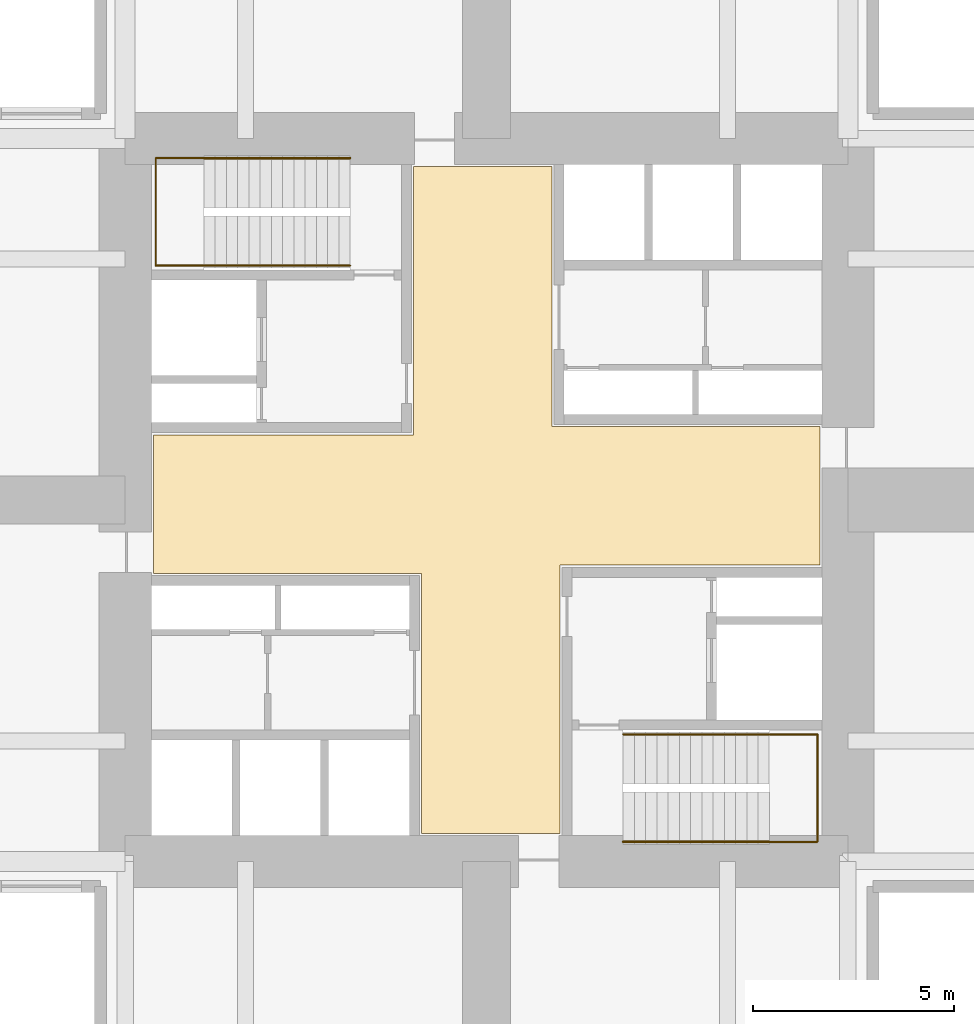
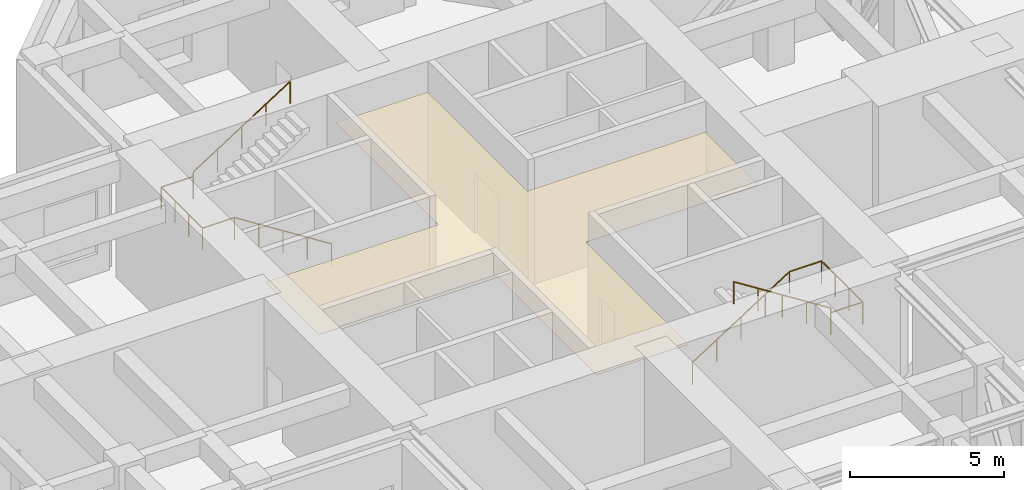
# One storey, part 8 of 8: 4 railings, 1 covering.
"""IFC4 building model written with IfcOpenShell, lengths in metres."""

from ifc_helpers import new_model, si_unit, direction, frame, origin, origin_2d, place, context, subcontext, project, spatial, polyline, circle, outline, extrude, material, layer, layer_set, type_object, element, save


model = new_model("IFC4")

# Units and contexts
model_context = context("Model", 3, precision=1e-05, world=origin(), true_north=direction((0.0, 1.0)))
body_context = subcontext(model_context, "Body", "Model", "MODEL_VIEW")
ifc_project = project(units=[si_unit("LENGTHUNIT", "METRE"), si_unit("AREAUNIT", "SQUARE_METRE"), si_unit("VOLUMEUNIT", "CUBIC_METRE"), si_unit("PLANEANGLEUNIT", "RADIAN"), si_unit("MASSUNIT", "GRAM", prefix="KILO")], contexts=[model_context])

# Site, building, storey
site_placement = place(None, origin())
site = spatial("IfcSite", under=ifc_project, at=site_placement, CompositionType="ELEMENT")
building_placement = place(site_placement, origin())
building = spatial("IfcBuilding", under=site, at=building_placement, Name="Torre Cruceta", CompositionType="ELEMENT")
storey_placement = place(building_placement, frame((0.0, 0.0, 164.5)))
storey = spatial("IfcBuildingStorey", under=building, at=storey_placement, Name="L40", CompositionType="ELEMENT", Elevation=164.5)

# Railings
ifc_material_1 = material(Name="Stainless steel 1.4401", Category="steel")
railing_type = type_object("IfcRailingType", Name="HANDRAIL 900", PredefinedType="HANDRAIL", material=ifc_material_1)
railing_1_placement = place(storey_placement, frame((-3.39990234375, 5.8349609375, 0.178466796875)))
element("IfcRailing", 1, at=railing_1_placement, inside=storey, type_object=railing_type, Name="Handrail HR1 ST1 L40", PredefinedType="HANDRAIL", context=body_context, shape_type="SweptSolid", body=[
    extrude(circle(Radius=0.02392578125, at=origin_2d()), frame((0.0, 0.0, 0.8759765625), z_axis=(-0.843127859045, 0.0, 0.537713132908), x_axis=(0.0, -1.0, 0.0)), (0.0, 0.0, 1.0), 4.3173828125),
    extrude(circle(Radius=0.02392578125, at=origin_2d()), frame((-3.64013671875, 0.0, 3.197265625), z_axis=(-1.0, 0.0, 0.0), x_axis=(0.0, -1.0, 0.0)), (0.0, 0.0, 1.0), 1.199951171875),
    extrude(circle(Radius=0.02392578125, at=origin_2d()), frame((-4.840087890625, 0.0, 3.197265625), z_axis=(0.0, 1.0, 0.0), x_axis=(-1.0, 0.0, 0.0)), (0.0, 0.0, 1.0), 2.679931640625),
    extrude(circle(Radius=0.02392578125, at=origin_2d()), frame((-4.840087890625, 2.679931640625, 3.197265625), z_axis=(1.0, 0.0, 0.0), x_axis=(0.0, 1.0, 0.0)), (0.0, 0.0, 1.0), 1.199951171875),
    extrude(circle(Radius=0.02099609375, at=origin_2d()), origin(), (0.0, 0.0, 1.0), 0.851806640625),
    extrude(circle(Radius=0.02099609375, at=origin_2d()), frame((-0.91015625, 0.0, 0.580322265625)), (0.0, 0.0, 1.0), 0.851806640625),
    extrude(circle(Radius=0.02099609375, at=origin_2d()), frame((-1.820068359375, 0.0, 1.16064453125)), (0.0, 0.0, 1.0), 0.851806640625),
    extrude(circle(Radius=0.02099609375, at=origin_2d()), frame((-2.72998046875, 0.0, 1.7412109375)), (0.0, 0.0, 1.0), 0.851806640625),
    extrude(circle(Radius=0.02099609375, at=origin_2d()), frame((-3.64013671875, 0.0, 2.321533203125)), (0.0, 0.0, 1.0), 0.851806640625),
    extrude(circle(Radius=0.02099609375, at=origin_2d()), frame((-4.840087890625, 0.0, 2.321533203125)), (0.0, 0.0, 1.0), 0.851806640625),
    extrude(circle(Radius=0.02099609375, at=origin_2d()), frame((-4.840087890625, 0.893310546875, 2.321533203125)), (0.0, 0.0, 1.0), 0.851806640625),
    extrude(circle(Radius=0.02099609375, at=origin_2d()), frame((-4.840087890625, 1.78662109375, 2.321533203125)), (0.0, 0.0, 1.0), 0.851806640625),
    extrude(circle(Radius=0.02099609375, at=origin_2d()), frame((-4.840087890625, 2.679931640625, 2.321533203125)), (0.0, 0.0, 1.0), 0.851806640625),
    extrude(circle(Radius=0.02099609375, at=origin_2d()), frame((-3.64013671875, 2.679931640625, 2.321533203125)), (0.0, 0.0, 1.0), 0.851806640625),
])
railing_2_placement = place(storey_placement, frame((-7.0400390625, 8.514892578125, 2.678466796875)))
element("IfcRailing", 2, at=railing_2_placement, inside=storey, type_object=railing_type, Name="Handrail HR1 ST1 L40", PredefinedType="HANDRAIL", context=body_context, shape_type="SweptSolid", body=[
    extrude(circle(Radius=0.02392578125, at=origin_2d()), frame((0.0, 0.0, 0.8759765625), z_axis=(0.843127859045, 0.0, 0.537713132908), x_axis=(0.0, 1.0, 0.0)), (0.0, 0.0, 1.0), 4.3173828125),
    extrude(circle(Radius=0.02099609375, at=origin_2d()), origin(), (0.0, 0.0, 1.0), 0.851806640625),
    extrude(circle(Radius=0.02099609375, at=origin_2d()), frame((0.91015625, 0.0, 0.580322265625)), (0.0, 0.0, 1.0), 0.851806640625),
    extrude(circle(Radius=0.02099609375, at=origin_2d()), frame((1.820068359375, 0.0, 1.16064453125)), (0.0, 0.0, 1.0), 0.851806640625),
    extrude(circle(Radius=0.02099609375, at=origin_2d()), frame((2.72998046875, 0.0, 1.7412109375)), (0.0, 0.0, 1.0), 0.851806640625),
    extrude(circle(Radius=0.02099609375, at=origin_2d()), frame((3.64013671875, 0.0, 2.321533203125)), (0.0, 0.0, 1.0), 0.851806640625),
])
railing_3_placement = place(storey_placement, frame((3.39990234375, -5.8349609375, 0.178466796875)))
element("IfcRailing", 3, at=railing_3_placement, inside=storey, type_object=railing_type, Name="Handrail HR1 ST2 L40", PredefinedType="HANDRAIL", context=body_context, shape_type="SweptSolid", body=[
    extrude(circle(Radius=0.02392578125, at=origin_2d()), frame((0.0, 0.0, 0.8759765625), z_axis=(0.843127859045, 0.0, 0.537713132908), x_axis=(0.0, 1.0, 0.0)), (0.0, 0.0, 1.0), 4.3173828125),
    extrude(circle(Radius=0.02392578125, at=origin_2d()), frame((3.64013671875, 0.0, 3.197265625), z_axis=(1.0, 0.0, 0.0), x_axis=(0.0, 1.0, 0.0)), (0.0, 0.0, 1.0), 1.199951171875),
    extrude(circle(Radius=0.02392578125, at=origin_2d()), frame((4.840087890625, 0.0, 3.197265625), z_axis=(0.0, -1.0, 0.0), x_axis=(1.0, 0.0, 0.0)), (0.0, 0.0, 1.0), 2.679931640625),
    extrude(circle(Radius=0.02392578125, at=origin_2d()), frame((4.840087890625, -2.679931640625, 3.197265625), z_axis=(-1.0, 0.0, 0.0), x_axis=(0.0, -1.0, 0.0)), (0.0, 0.0, 1.0), 1.199951171875),
    extrude(circle(Radius=0.02099609375, at=origin_2d()), origin(), (0.0, 0.0, 1.0), 0.851806640625),
    extrude(circle(Radius=0.02099609375, at=origin_2d()), frame((0.91015625, 0.0, 0.580322265625)), (0.0, 0.0, 1.0), 0.851806640625),
    extrude(circle(Radius=0.02099609375, at=origin_2d()), frame((1.820068359375, 0.0, 1.16064453125)), (0.0, 0.0, 1.0), 0.851806640625),
    extrude(circle(Radius=0.02099609375, at=origin_2d()), frame((2.72998046875, 0.0, 1.7412109375)), (0.0, 0.0, 1.0), 0.851806640625),
    extrude(circle(Radius=0.02099609375, at=origin_2d()), frame((3.64013671875, 0.0, 2.321533203125)), (0.0, 0.0, 1.0), 0.851806640625),
    extrude(circle(Radius=0.02099609375, at=origin_2d()), frame((4.840087890625, 0.0, 2.321533203125)), (0.0, 0.0, 1.0), 0.851806640625),
    extrude(circle(Radius=0.02099609375, at=origin_2d()), frame((4.840087890625, -0.893310546875, 2.321533203125)), (0.0, 0.0, 1.0), 0.851806640625),
    extrude(circle(Radius=0.02099609375, at=origin_2d()), frame((4.840087890625, -1.78662109375, 2.321533203125)), (0.0, 0.0, 1.0), 0.851806640625),
    extrude(circle(Radius=0.02099609375, at=origin_2d()), frame((4.840087890625, -2.679931640625, 2.321533203125)), (0.0, 0.0, 1.0), 0.851806640625),
    extrude(circle(Radius=0.02099609375, at=origin_2d()), frame((3.64013671875, -2.679931640625, 2.321533203125)), (0.0, 0.0, 1.0), 0.851806640625),
])
railing_4_placement = place(storey_placement, frame((7.0400390625, -8.514892578125, 2.678466796875)))
element("IfcRailing", 4, at=railing_4_placement, inside=storey, type_object=railing_type, Name="Handrail HR1 ST2 L40", PredefinedType="HANDRAIL", context=body_context, shape_type="SweptSolid", body=[
    extrude(circle(Radius=0.02392578125, at=origin_2d()), frame((0.0, 0.0, 0.8759765625), z_axis=(-0.843127859045, 0.0, 0.537713132908), x_axis=(0.0, -1.0, 0.0)), (0.0, 0.0, 1.0), 4.3173828125),
    extrude(circle(Radius=0.02099609375, at=origin_2d()), origin(), (0.0, 0.0, 1.0), 0.851806640625),
    extrude(circle(Radius=0.02099609375, at=origin_2d()), frame((-0.91015625, 0.0, 0.580322265625)), (0.0, 0.0, 1.0), 0.851806640625),
    extrude(circle(Radius=0.02099609375, at=origin_2d()), frame((-1.820068359375, 0.0, 1.16064453125)), (0.0, 0.0, 1.0), 0.851806640625),
    extrude(circle(Radius=0.02099609375, at=origin_2d()), frame((-2.72998046875, 0.0, 1.7412109375)), (0.0, 0.0, 1.0), 0.851806640625),
    extrude(circle(Radius=0.02099609375, at=origin_2d()), frame((-3.64013671875, 0.0, 2.321533203125)), (0.0, 0.0, 1.0), 0.851806640625),
])

# Covering
ifc_material_2 = material(Name="Mineral fibre ceiling tile", Category="gypsum")
ifc_layer = layer(ifc_material_2, 0.02001953125)
ifc_layer_set = layer_set([ifc_layer], Name="Mineral fibre ceiling tile")
covering_type = type_object("IfcCoveringType", Name="SUSPENDED CEILING 20", PredefinedType="CEILING", material=ifc_layer_set)
covering_placement = place(storey_placement, frame((0.0, 0.0, 3.800048828125)))
element("IfcCovering", 5, at=covering_placement, inside=storey, type_object=covering_type, Name="Ceiling L40-001", PredefinedType="CEILING", context=body_context, shape_type="SweptSolid", body=[
    extrude(outline(polyline([(-1.625, -8.300048828125), (-1.625, -1.824951171875), (-8.300048828125, -1.824951171875), (-8.300048828125, 1.625), (-1.824951171875, 1.625), (-1.824951171875, 8.300048828125), (1.625, 8.300048828125), (1.625, 1.824951171875), (8.300048828125, 1.824951171875), (8.300048828125, -1.625), (1.824951171875, -1.625), (1.824951171875, -8.300048828125), (-1.625, -8.300048828125)])), origin(), (0.0, 0.0, 1.0), 0.02001953125),
])

save(model, "model.ifc")
